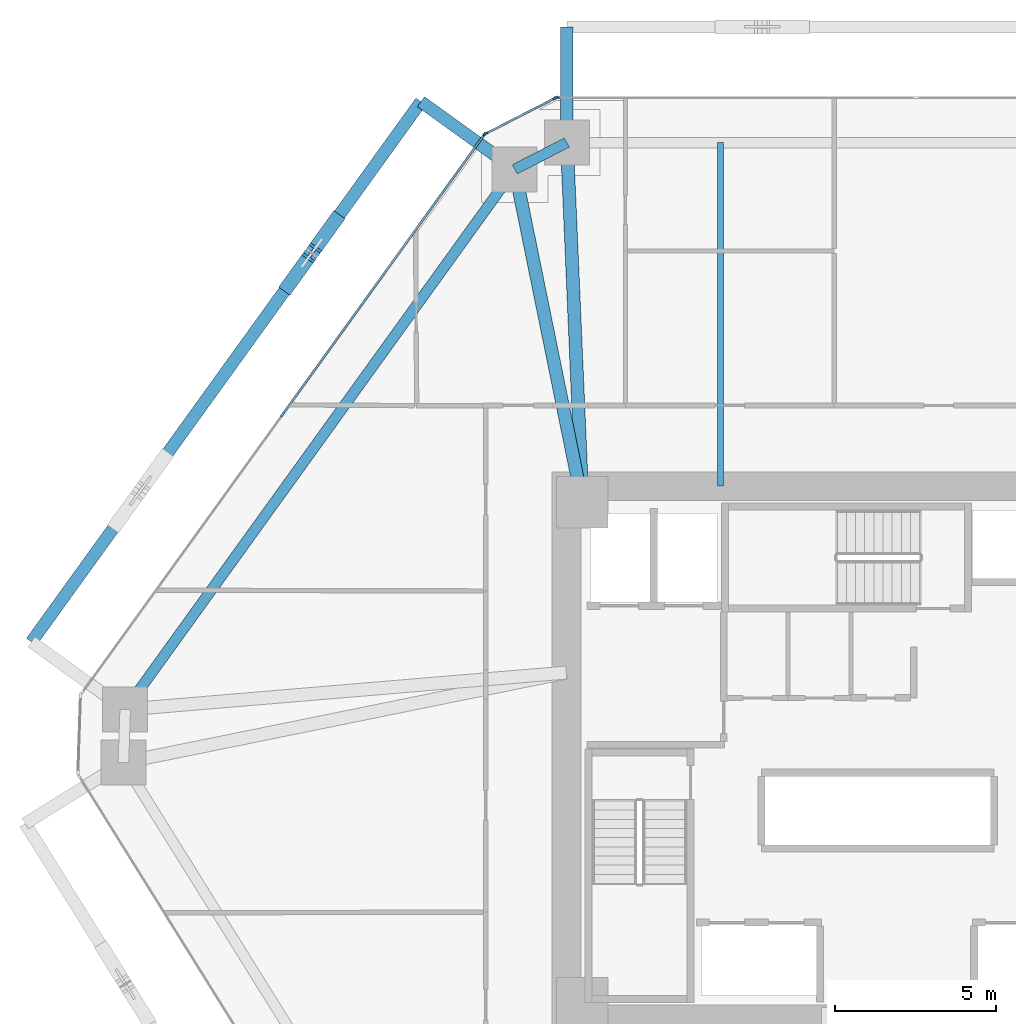
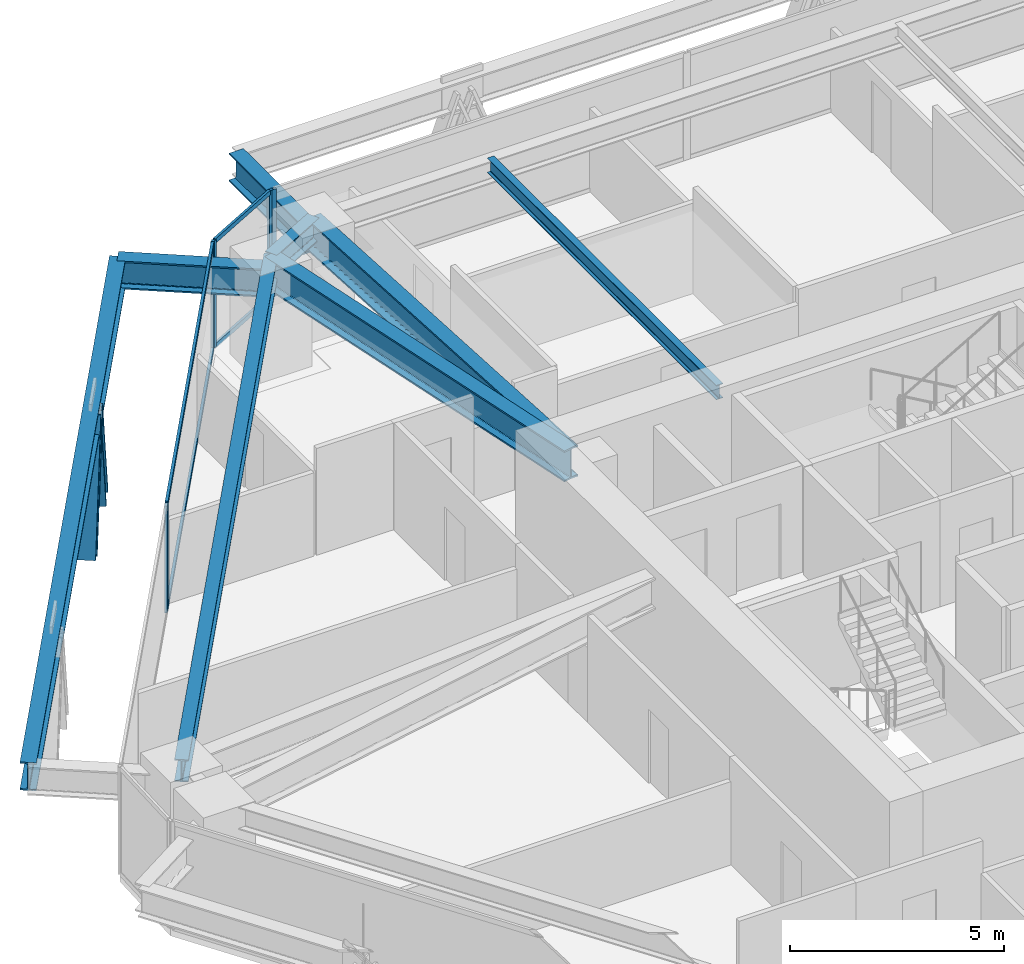
# One storey, part 7 of 17: 11 members, 8 beams, 3 elements without a shape of their own.
"""IFC4 building model written with IfcOpenShell, lengths in metres."""

from ifc_helpers import new_model, si_unit, direction, frame, origin, origin_2d, place, context, subcontext, project, spatial, rectangle, i_section, extrude, source, transform, mapped, material, layer, layer_set, material_profile, profile_set, type_object, type_shapes, element, aggregate, save


model = new_model("IFC4")

# Units and contexts
model_context = context("Model", 3, precision=1e-05, world=origin(), true_north=direction((0.0, 1.0)))
body_context = subcontext(model_context, "Body", "Model", "MODEL_VIEW")
ifc_project = project(units=[si_unit("LENGTHUNIT", "METRE"), si_unit("AREAUNIT", "SQUARE_METRE"), si_unit("VOLUMEUNIT", "CUBIC_METRE"), si_unit("PLANEANGLEUNIT", "RADIAN"), si_unit("MASSUNIT", "GRAM", prefix="KILO")], contexts=[model_context])

# Site, building, storey
site_placement = place(None, origin())
site = spatial("IfcSite", under=ifc_project, at=site_placement, CompositionType="ELEMENT")
building_placement = place(site_placement, origin())
building = spatial("IfcBuilding", under=site, at=building_placement, Name="Durnholm Broadcast Tower", CompositionType="ELEMENT")
storey_placement = place(building_placement, frame((0.0, 0.0, 39.0)))
storey = spatial("IfcBuildingStorey", under=building, at=storey_placement, Name="L08", CompositionType="ELEMENT", Elevation=39.0)

# Beams
ifc_material_1 = material(Name="Steel ASTM A992 Grade 50", Category="steel")
ifc_material_profile_1 = material_profile(ifc_material_1, i_section(OverallWidth=0.3291015625, OverallDepth=0.635009765625, WebThickness=0.017822265625, FlangeThickness=0.031005859375, FilletRadius=0.02783203125, at=origin_2d()), Name="W24X162")
ifc_profile_set_1 = profile_set([ifc_material_profile_1], Name="Steel ASTM A992 Grade 50")
beam_type_1 = type_object("IfcBeamType", Name="STL-SP-W24X162", PredefinedType="SPANDREL", material=ifc_profile_set_1)
shared_shape_1 = source(origin(), body_context, "Body", "SweptSolid", [
    extrude(i_section(OverallWidth=0.3291015625, OverallDepth=0.635009765625, WebThickness=0.017822265625, FlangeThickness=0.031005859375, FilletRadius=0.02783203125, at=origin_2d()), origin(), (0.0, 0.0, 1.0), 20.737060546875),
])
beam_1_placement = place(storey_placement, frame((-24.034912109375, 1.347412109375, 2.7275390625), z_axis=(0.584821933191, 0.811161701795, 0.0), x_axis=(-0.811161701795, 0.584821933191, 0.0)))
element("IfcBeam", 1, at=beam_1_placement, inside=storey, type_object=beam_type_1, Name="L08 perimeter spandrel girder 03", PredefinedType="SPANDREL", context=body_context, shape_type="MappedRepresentation", body=[
    mapped(shared_shape_1, transform((0.0, 0.0, 0.0), x_axis=(1.0, 0.0, 0.0), y_axis=(0.0, 1.0, 0.0), z_axis=(0.0, 0.0, 1.0), scale=1.0)),
])
shared_shape_2 = source(origin(), body_context, "Body", "SweptSolid", [
    extrude(i_section(OverallWidth=0.3291015625, OverallDepth=0.635009765625, WebThickness=0.017822265625, FlangeThickness=0.031005859375, FilletRadius=0.02783203125, at=origin_2d()), origin(), (0.0, 0.0, 1.0), 1.8251953125),
])
type_shapes(beam_type_1, [shared_shape_1, shared_shape_2])
beam_2_placement = place(storey_placement, frame((-11.907470703125, 18.16845703125, 2.7275390625), z_axis=(0.890187609501, 0.455594139438, 0.0), x_axis=(-0.455594139438, 0.890187609501, 0.0)))
element("IfcBeam", 2, at=beam_2_placement, inside=storey, type_object=beam_type_1, Name="L08 perimeter spandrel girder 04", PredefinedType="SPANDREL", context=body_context, shape_type="MappedRepresentation", body=[
    mapped(shared_shape_2, transform((0.0, 0.0, 0.0), x_axis=(1.0, 0.0, 0.0), y_axis=(0.0, 1.0, 0.0), z_axis=(0.0, 0.0, 1.0), scale=1.0)),
])
ifc_material_profile_2 = material_profile(ifc_material_1, i_section(OverallWidth=0.404052734375, OverallDepth=0.885009765625, WebThickness=0.0244140625, FlangeThickness=0.0439453125, FilletRadius=0.03564453125, at=origin_2d()), Name="W33X291")
ifc_profile_set_2 = profile_set([ifc_material_profile_2], Name="Steel ASTM A992 Grade 50")
beam_type_2 = type_object("IfcBeamType", Name="STL-GR-W33X291", PredefinedType="USERDEFINED", material=ifc_profile_set_2)
shared_shape_3 = source(origin(), body_context, "Body", "SweptSolid", [
    extrude(i_section(OverallWidth=0.404052734375, OverallDepth=0.885009765625, WebThickness=0.0244140625, FlangeThickness=0.0439453125, FilletRadius=0.03564453125, at=origin_2d()), origin(), (0.0, 0.0, 1.0), 10.580322265625),
])
beam_3_placement = place(storey_placement, frame((-9.800048828125, 7.800048828125, 2.6025390625), z_axis=(-0.199181458925, 0.979962625012, 0.0), x_axis=(-0.979962625012, -0.199181458925, 0.0)))
element("IfcBeam", 3, at=beam_3_placement, inside=storey, type_object=beam_type_2, Name="L08 radial primary floor girder 04", ObjectType="GIRDER", PredefinedType="USERDEFINED", context=body_context, shape_type="MappedRepresentation", body=[
    mapped(shared_shape_3, transform((0.0, 0.0, 0.0), x_axis=(1.0, 0.0, 0.0), y_axis=(0.0, 1.0, 0.0), z_axis=(0.0, 0.0, 1.0), scale=1.0)),
])
shared_shape_4 = source(origin(), body_context, "Body", "SweptSolid", [
    extrude(i_section(OverallWidth=0.404052734375, OverallDepth=0.885009765625, WebThickness=0.0244140625, FlangeThickness=0.0439453125, FilletRadius=0.03564453125, at=origin_2d()), origin(), (0.0, 0.0, 1.0), 11.21044921875),
])
type_shapes(beam_type_2, [shared_shape_3, shared_shape_4])
beam_4_placement = place(storey_placement, frame((-9.800048828125, 7.800048828125, 2.6025390625), z_axis=(-0.043055404914, 0.999072686098, 0.0), x_axis=(-0.999072686098, -0.043055404914, 0.0)))
element("IfcBeam", 4, at=beam_4_placement, inside=storey, type_object=beam_type_2, Name="L08 radial primary floor girder 05", ObjectType="GIRDER", PredefinedType="USERDEFINED", context=body_context, shape_type="MappedRepresentation", body=[
    mapped(shared_shape_4, transform((0.0, 0.0, 0.0), x_axis=(1.0, 0.0, 0.0), y_axis=(0.0, 1.0, 0.0), z_axis=(0.0, 0.0, 1.0), scale=1.0)),
])
ifc_material_profile_3 = material_profile(ifc_material_1, i_section(OverallWidth=0.180908203125, OverallDepth=0.417236328125, WebThickness=0.010986328125, FlangeThickness=0.018310546875, FilletRadius=0.01904296875, at=origin_2d()), Name="W16X57")
ifc_profile_set_3 = profile_set([ifc_material_profile_3], Name="Steel ASTM A992 Grade 50")
beam_type_3 = type_object("IfcBeamType", Name="STL-BJ-W16X57", PredefinedType="JOIST", material=ifc_profile_set_3)
shared_shape_5 = source(origin(), body_context, "Body", "SweptSolid", [
    extrude(i_section(OverallWidth=0.180908203125, OverallDepth=0.417236328125, WebThickness=0.010986328125, FlangeThickness=0.018310546875, FilletRadius=0.01904296875, at=origin_2d()), origin(), (0.0, 0.0, 1.0), 10.699951171875),
])
type_shapes(beam_type_3, [shared_shape_5])
beam_5_placement = place(storey_placement, frame((-5.5, 8.300048828125, 2.83642578125), z_axis=(0.0, 1.0, 0.0), x_axis=(-1.0, 0.0, 0.0)))
element("IfcBeam", 5, at=beam_5_placement, inside=storey, type_object=beam_type_3, Name="L08 secondary floor joist 3.2", PredefinedType="JOIST", context=body_context, shape_type="MappedRepresentation", body=[
    mapped(shared_shape_5, transform((0.0, 0.0, 0.0), x_axis=(1.0, 0.0, 0.0), y_axis=(0.0, 1.0, 0.0), z_axis=(0.0, 0.0, 1.0), scale=1.0)),
])
ifc_material_profile_4 = material_profile(ifc_material_1, i_section(OverallWidth=0.385009765625, OverallDepth=0.802978515625, WebThickness=0.023681640625, FlangeThickness=0.0419921875, FilletRadius=0.032958984375, at=origin_2d()), Name="W30X261")
ifc_profile_set_4 = profile_set([ifc_material_profile_4], Name="Steel ASTM A992 Grade 50")
beam_type_4 = type_object("IfcBeamType", Name="BM-EXO-TIE", PredefinedType="USERDEFINED", material=ifc_profile_set_4)
shared_shape_6 = source(origin(), body_context, "Body", "SweptSolid", [
    extrude(i_section(OverallWidth=0.385009765625, OverallDepth=0.802978515625, WebThickness=0.023681640625, FlangeThickness=0.0419921875, FilletRadius=0.032958984375, at=origin_2d()), origin(), (0.0, 0.0, 1.0), 3.4560546875),
])
for number, where, z_axis, x_axis, name in (
    (6, (-10.28271484375, 19.14404296875, 2.30859375), (0.0, 1.0, 0.0), (-1.0, 0.0, 0.0), "L08 exoskeleton stand-off tie bracket F4.2"),
    (7, (-12.024169921875, 18.252685546875, 2.30859375), (-0.811157675106, 0.584827518262, 0.0), (-0.584827518262, -0.811157675106, 0.0), "L08 exoskeleton stand-off tie bracket F5.1"),
):
    element("IfcBeam", number, at=place(storey_placement, frame(where, z_axis=z_axis, x_axis=x_axis)), inside=storey, type_object=beam_type_4, Name=name, ObjectType="GIRDER", PredefinedType="USERDEFINED", context=body_context, shape_type="MappedRepresentation", body=[
        mapped(shared_shape_6, transform((0.0, 0.0, 0.0), x_axis=(1.0, 0.0, 0.0), y_axis=(0.0, 1.0, 0.0), z_axis=(0.0, 0.0, 1.0), scale=1.0)),
    ])
shared_shape_7 = source(origin(), body_context, "Body", "SweptSolid", [
    extrude(i_section(OverallWidth=0.385009765625, OverallDepth=0.802978515625, WebThickness=0.023681640625, FlangeThickness=0.0419921875, FilletRadius=0.032958984375, at=origin_2d()), origin(), (0.0, 0.0, 1.0), 20.737060546875),
])
type_shapes(beam_type_4, [shared_shape_6, shared_shape_7])
beam_6_placement = place(storey_placement, frame((-14.82763671875, 20.27392578125, 2.30859375), z_axis=(-0.5848163482, -0.811165728368, 0.0), x_axis=(0.811165728368, -0.5848163482, 0.0)))
element("IfcBeam", 8, at=beam_6_placement, inside=storey, type_object=beam_type_4, Name="L08 exoskeleton collector spandrel F5", PredefinedType="SPANDREL", context=body_context, shape_type="MappedRepresentation", body=[
    mapped(shared_shape_7, transform((0.0, 0.0, 0.0), x_axis=(1.0, 0.0, 0.0), y_axis=(0.0, 1.0, 0.0), z_axis=(0.0, 0.0, 1.0), scale=1.0)),
])

# Members
ifc_material_2 = material(Name="Steel ASTM A913 Grade 65", Category="steel")
ifc_material_profile_5 = material_profile(ifc_material_2, i_section(OverallWidth=0.43212890625, OverallDepth=0.497802734375, WebThickness=0.0556640625, FlangeThickness=0.0888671875, FilletRadius=0.030517578125, at=origin_2d()), Name="W14X500")
ifc_profile_set_5 = profile_set([ifc_material_profile_5], Name="Steel ASTM A913 Grade 65")
member_type_1 = type_object("IfcMemberType", Name="STL-DG-W14X500", PredefinedType="BRACE", material=ifc_profile_set_5)
shared_shape_8 = source(origin(), body_context, "Body", "SweptSolid", [
    extrude(i_section(OverallWidth=0.43212890625, OverallDepth=0.497802734375, WebThickness=0.0556640625, FlangeThickness=0.0888671875, FilletRadius=0.030517578125, at=origin_2d()), origin(), (0.0, 0.0, 1.0), 3.523193359375),
])
type_shapes(member_type_1, [shared_shape_8])
for number, where, z_axis, x_axis, name in (
    (9, (-17.501708984375, 16.564697265625, -0.991455078125), (-0.204839138341, -0.284044529113, 0.93667477434), (0.81109123444, -0.58491966065, 0.0), "L08 stand-off diagrid brace F5.D1.1"),
    (10, (-18.94482421875, 14.563232421875, -0.991455078125), (0.20477274847, 0.284048560399, 0.936688068046), (-0.811185111535, 0.584789461963, 0.0), "L08 stand-off diagrid brace F5.D1.2"),
):
    element("IfcMember", number, at=place(storey_placement, frame(where, z_axis=z_axis, x_axis=x_axis)), inside=storey, type_object=member_type_1, Name=name, PredefinedType="BRACE", context=body_context, shape_type="MappedRepresentation", body=[
        mapped(shared_shape_8, transform((0.0, 0.0, 0.0), x_axis=(1.0, 0.0, 0.0), y_axis=(0.0, 1.0, 0.0), z_axis=(0.0, 0.0, 1.0), scale=1.0)),
    ])

# Curtain wall, members
ifc_material_3 = material(Name="Aluminium and Solar Control IGU", Category="aluminium")
ifc_layer_1 = layer(ifc_material_3, 0.1650390625)
ifc_layer_set_1 = layer_set([ifc_layer_1], Name="Aluminium and Solar Control IGU")
curtain_wall_type_1 = type_object("IfcCurtainWallType", Name="CW-SYS-5", PredefinedType="NOTDEFINED", material=ifc_layer_set_1)
curtain_wall_1_placement = place(storey_placement, origin())
curtain_wall_1 = element("IfcCurtainWall", 11, at=curtain_wall_1_placement, inside=storey, type_object=curtain_wall_type_1, Name="L08 curtain wall CW-CORNER CW-L08-CRN-03", PredefinedType="NOTDEFINED")
ifc_material_4 = material(Name="Aluminium 6063-T6", Category="aluminium")
ifc_material_profile_6 = material_profile(ifc_material_4, rectangle(XDim=0.06494140625, YDim=0.1650390625, at=origin_2d()), Name="CWM65X165")
ifc_profile_set_6 = profile_set([ifc_material_profile_6], Name="Aluminium 6063-T6")
member_type_2 = type_object("IfcMemberType", Name="CW-SYS-5-MUL", PredefinedType="MULLION", material=ifc_profile_set_6)
shared_shape_9 = source(origin(), body_context, "Body", "SweptSolid", [
    extrude(rectangle(XDim=0.06494140625, YDim=0.1650390625, at=origin_2d()), origin(), (0.0, 0.0, 1.0), 3.06005859375),
])
type_shapes(member_type_2, [shared_shape_9])
member_1_placement = place(storey_placement, frame((-12.816650390625, 19.27587890625, 0.0), z_axis=(0.0, 0.0, 1.0), x_axis=(-0.455593758406, 0.890187804512, 0.0)))
member_1 = element("IfcMember", 12, at=member_1_placement, type_object=member_type_2, Name="CW-CORNER mullion 1", PredefinedType="MULLION", context=body_context, shape_type="MappedRepresentation", body=[
    mapped(shared_shape_9, transform((0.0, 0.0, 0.0), x_axis=(1.0, 0.0, 0.0), y_axis=(0.0, 1.0, 0.0), z_axis=(0.0, 0.0, 1.0), scale=1.0)),
])
member_2_placement = place(storey_placement, frame((-10.649169921875, 20.38525390625, 0.0), z_axis=(0.0, 0.0, 1.0), x_axis=(-0.455593758406, 0.890187804512, 0.0)))
member_2 = element("IfcMember", 13, at=member_2_placement, type_object=member_type_2, Name="CW-CORNER mullion 2", PredefinedType="MULLION", context=body_context, shape_type="MappedRepresentation", body=[
    mapped(shared_shape_9, transform((0.0, 0.0, 0.0), x_axis=(1.0, 0.0, 0.0), y_axis=(0.0, 1.0, 0.0), z_axis=(0.0, 0.0, 1.0), scale=1.0)),
])
ifc_material_profile_7 = material_profile(ifc_material_4, rectangle(XDim=0.06494140625, YDim=0.1298828125, at=origin_2d()), Name="CWT65X130")
ifc_profile_set_7 = profile_set([ifc_material_profile_7], Name="Aluminium 6063-T6")
member_type_3 = type_object("IfcMemberType", Name="CW-SYS-5-TRN", PredefinedType="USERDEFINED", material=ifc_profile_set_7)
shared_shape_10 = source(origin(), body_context, "Body", "SweptSolid", [
    extrude(rectangle(XDim=0.06494140625, YDim=0.1298828125, at=origin_2d()), origin(), (0.0, 0.0, 1.0), 2.3701171875),
])
type_shapes(member_type_3, [shared_shape_10])
member_3_placement = place(storey_placement, frame((-12.787841796875, 19.29052734375, 0.032470703125), z_axis=(0.890185016934, 0.455599205033, 0.0), x_axis=(-0.455599205033, 0.890185016934, 0.0)))
member_3 = element("IfcMember", 14, at=member_3_placement, type_object=member_type_3, Name="CW-CORNER transom 1.1", ObjectType="TRANSOM", PredefinedType="USERDEFINED", context=body_context, shape_type="MappedRepresentation", body=[
    mapped(shared_shape_10, transform((0.0, 0.0, 0.0), x_axis=(1.0, 0.0, 0.0), y_axis=(0.0, 1.0, 0.0), z_axis=(0.0, 0.0, 1.0), scale=1.0)),
])
member_4_placement = place(storey_placement, frame((-12.787841796875, 19.29052734375, 3.027587890625), z_axis=(0.890185016934, 0.455599205033, 0.0), x_axis=(-0.455599205033, 0.890185016934, 0.0)))
member_4 = element("IfcMember", 15, at=member_4_placement, type_object=member_type_3, Name="CW-CORNER transom 1.2", ObjectType="TRANSOM", PredefinedType="USERDEFINED", context=body_context, shape_type="MappedRepresentation", body=[
    mapped(shared_shape_10, transform((0.0, 0.0, 0.0), x_axis=(1.0, 0.0, 0.0), y_axis=(0.0, 1.0, 0.0), z_axis=(0.0, 0.0, 1.0), scale=1.0)),
])
aggregate(curtain_wall_1, [member_1, member_2, member_3, member_4])

ifc_layer_2 = layer(ifc_material_3, 0.18994140625)
ifc_layer_set_2 = layer_set([ifc_layer_2], Name="Aluminium and Solar Control IGU")
curtain_wall_type_2 = type_object("IfcCurtainWallType", Name="CW-SYS-3", PredefinedType="NOTDEFINED", material=ifc_layer_set_2)
curtain_wall_2_placement = place(storey_placement, origin())
curtain_wall_2 = element("IfcCurtainWall", 16, at=curtain_wall_2_placement, inside=storey, type_object=curtain_wall_type_2, Name="L08 curtain wall CW-Z12-VIS CW-L08-F02", PredefinedType="NOTDEFINED")
ifc_material_profile_8 = material_profile(ifc_material_4, rectangle(XDim=0.070068359375, YDim=0.18994140625, at=origin_2d()), Name="CWM70X190")
ifc_profile_set_8 = profile_set([ifc_material_profile_8], Name="Aluminium 6063-T6")
member_type_4 = type_object("IfcMemberType", Name="CW-SYS-3-MUL", PredefinedType="MULLION", material=ifc_profile_set_8)
shared_shape_11 = source(origin(), body_context, "Body", "SweptSolid", [
    extrude(rectangle(XDim=0.070068359375, YDim=0.18994140625, at=origin_2d()), origin(), (0.0, 0.0, 1.0), 3.06005859375),
])
type_shapes(member_type_4, [shared_shape_11])
member_5_placement = place(storey_placement, frame((-19.1328125, 10.540771484375, 0.0), z_axis=(0.0, 0.0, 1.0), x_axis=(-0.81116057493, 0.584823496176, 0.0)))
member_5 = element("IfcMember", 17, at=member_5_placement, type_object=member_type_4, Name="CW-Z12-VIS mullion 2", PredefinedType="MULLION", context=body_context, shape_type="MappedRepresentation", body=[
    mapped(shared_shape_11, transform((0.0, 0.0, 0.0), x_axis=(1.0, 0.0, 0.0), y_axis=(0.0, 1.0, 0.0), z_axis=(0.0, 0.0, 1.0), scale=1.0)),
])
member_6_placement = place(storey_placement, frame((-12.8662109375, 19.232666015625, 0.0), z_axis=(0.0, 0.0, 1.0), x_axis=(-0.81116057493, 0.584823496176, 0.0)))
member_6 = element("IfcMember", 18, at=member_6_placement, type_object=member_type_4, Name="CW-Z12-VIS mullion 3", PredefinedType="MULLION", context=body_context, shape_type="MappedRepresentation", body=[
    mapped(shared_shape_11, transform((0.0, 0.0, 0.0), x_axis=(1.0, 0.0, 0.0), y_axis=(0.0, 1.0, 0.0), z_axis=(0.0, 0.0, 1.0), scale=1.0)),
])

# Curtain wall, member
curtain_wall_3_placement = place(storey_placement, origin())
curtain_wall_3 = element("IfcCurtainWall", 19, at=curtain_wall_3_placement, inside=storey, type_object=curtain_wall_type_2, Name="L08 curtain wall CW-Z12-VIS CW-L08-F04", PredefinedType="NOTDEFINED")
member_7_placement = place(storey_placement, frame((-10.585205078125, 20.39990234375, 0.0), z_axis=(0.0, 0.0, 1.0), x_axis=(0.0, 1.0, 0.0)))
member_7 = element("IfcMember", 20, at=member_7_placement, type_object=member_type_4, Name="CW-Z12-VIS mullion 1", PredefinedType="MULLION", context=body_context, shape_type="MappedRepresentation", body=[
    mapped(shared_shape_11, transform((0.0, 0.0, 0.0), x_axis=(1.0, 0.0, 0.0), y_axis=(0.0, 1.0, 0.0), z_axis=(0.0, 0.0, 1.0), scale=1.0)),
])
aggregate(curtain_wall_3, [member_7])

# Member
ifc_material_profile_9 = material_profile(ifc_material_4, rectangle(XDim=0.070068359375, YDim=0.14990234375, at=origin_2d()), Name="CWT70X150")
ifc_profile_set_9 = profile_set([ifc_material_profile_9], Name="Aluminium 6063-T6")
member_type_5 = type_object("IfcMemberType", Name="CW-SYS-3-TRN", PredefinedType="USERDEFINED", material=ifc_profile_set_9)
shared_shape_12 = source(origin(), body_context, "Body", "SweptSolid", [
    extrude(rectangle(XDim=0.070068359375, YDim=0.14990234375, at=origin_2d()), origin(), (0.0, 0.0, 1.0), 10.645263671875),
])
type_shapes(member_type_5, [shared_shape_12])
member_8_placement = place(storey_placement, frame((-19.1123046875, 10.569091796875, 0.034912109375), z_axis=(0.584822983179, 0.811160944786, 0.0), x_axis=(-0.811160944786, 0.584822983179, 0.0)))
member_8 = element("IfcMember", 21, at=member_8_placement, type_object=member_type_5, Name="CW-Z12-VIS transom 2.1", ObjectType="TRANSOM", PredefinedType="USERDEFINED", context=body_context, shape_type="MappedRepresentation", body=[
    mapped(shared_shape_12, transform((0.0, 0.0, 0.0), x_axis=(1.0, 0.0, 0.0), y_axis=(0.0, 1.0, 0.0), z_axis=(0.0, 0.0, 1.0), scale=1.0)),
])

member_9_placement = place(storey_placement, frame((-19.1123046875, 10.569091796875, 3.02490234375), z_axis=(0.584822983179, 0.811160944786, 0.0), x_axis=(-0.811160944786, 0.584822983179, 0.0)))
member_9 = element("IfcMember", 22, at=member_9_placement, type_object=member_type_5, Name="CW-Z12-VIS transom 2.2", ObjectType="TRANSOM", PredefinedType="USERDEFINED", context=body_context, shape_type="MappedRepresentation", body=[
    mapped(shared_shape_12, transform((0.0, 0.0, 0.0), x_axis=(1.0, 0.0, 0.0), y_axis=(0.0, 1.0, 0.0), z_axis=(0.0, 0.0, 1.0), scale=1.0)),
])

aggregate(curtain_wall_2, [member_5, member_6, member_8, member_9])

save(model, "model.ifc")
